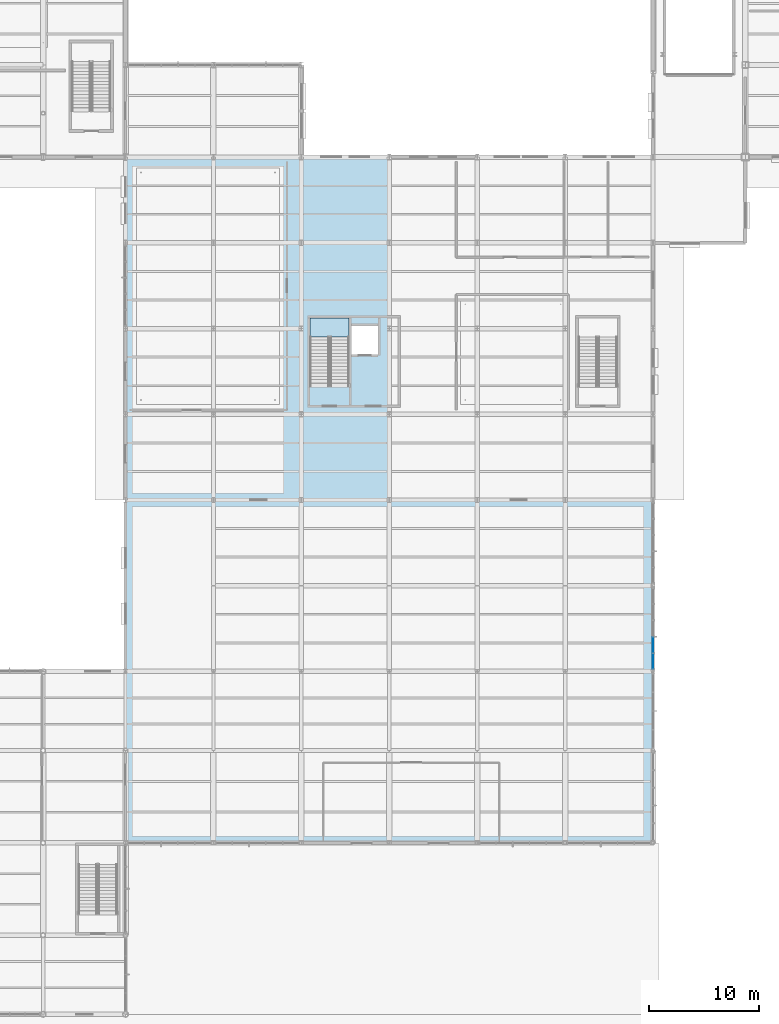
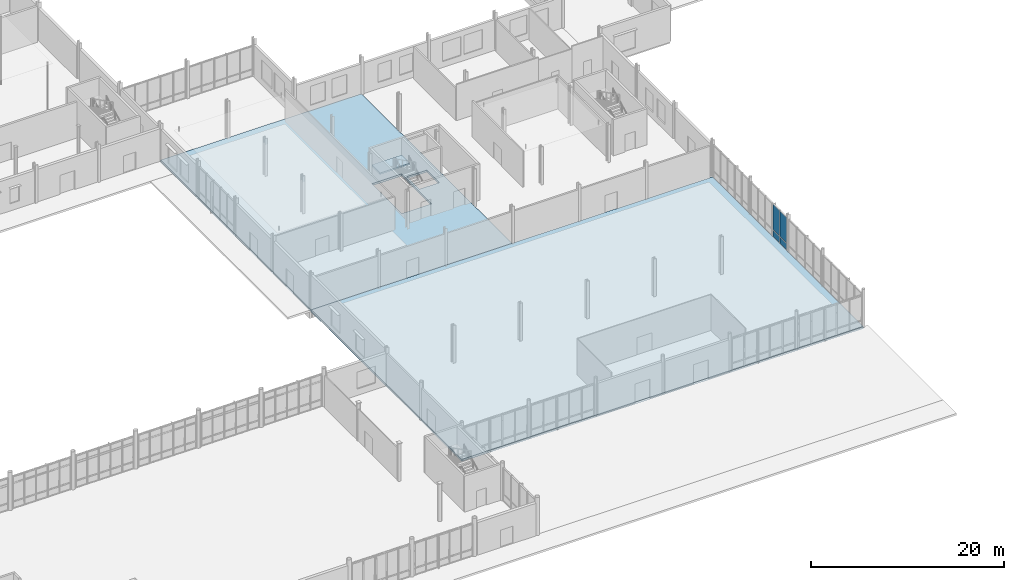
# One storey, part 43 of 82: 4 plates, 3 slabs, 2 elements without a shape of their own.
"""IFC4 building model written with IfcOpenShell, lengths in metres."""

from ifc_helpers import new_model, si_unit, direction, frame, origin, origin_2d, place, context, subcontext, project, spatial, polyline, rectangle, outline, extrude, material, layer, layer_set, type_object, element, aggregate, save


model = new_model("IFC4")

# Units and contexts
model_context = context("Model", 3, precision=1e-05, world=origin(), true_north=direction((0.0, 1.0)))
body_context = subcontext(model_context, "Body", "Model", "MODEL_VIEW")
ifc_project = project(units=[si_unit("LENGTHUNIT", "METRE"), si_unit("AREAUNIT", "SQUARE_METRE"), si_unit("VOLUMEUNIT", "CUBIC_METRE"), si_unit("PLANEANGLEUNIT", "RADIAN"), si_unit("MASSUNIT", "GRAM", prefix="KILO")], contexts=[model_context])

# Site, building, storey
site_placement = place(None, origin())
site = spatial("IfcSite", under=ifc_project, at=site_placement, CompositionType="ELEMENT")
building_placement = place(site_placement, origin())
building = spatial("IfcBuilding", under=site, at=building_placement, Name="Yukiwa Park Conservatory and Herbarium", CompositionType="ELEMENT")
storey_placement = place(building_placement, origin())
storey = spatial("IfcBuildingStorey", under=building, at=storey_placement, Name="L00", CompositionType="ELEMENT", Elevation=0.0)

# Curtain wall, plates
ifc_material_1 = material(Name="Triple Low-E Insulated Glass", Category="glass")
ifc_layer_1 = layer(ifc_material_1, 0.176025390625)
ifc_layer_set_1 = layer_set([ifc_layer_1], Name="Triple Low-E Insulated Glass")
curtain_wall_type = type_object("IfcCurtainWallType", Name="CW-CONCOURSE-1600", PredefinedType="NOTDEFINED", material=ifc_layer_set_1)
curtain_wall_placement = place(storey_placement, origin())
curtain_wall = element("IfcCurtainWall", 1, at=curtain_wall_placement, inside=storey, type_object=curtain_wall_type, Name="L00 unitised curtain wall CW-L00-013", PredefinedType="NOTDEFINED")
ifc_material_2 = material(Name="Triple Low-E Insulated Glass", Category="glass")
ifc_layer_2 = layer(ifc_material_2, 0.035888671875)
ifc_layer_set_2 = layer_set([ifc_layer_2], Name="Triple Low-E Insulated Glass")
plate_type_1 = type_object("IfcPlateType", Name="PL-CW-GLZ-36", PredefinedType="CURTAIN_PANEL", material=ifc_layer_set_2)
plate_1_placement = place(storey_placement, frame((108.0, 32.11962890625, 0.93994140625), z_axis=(0.0, 0.0, 1.0), x_axis=(0.0, 1.0, 0.0)))
plate_1 = element("IfcPlate", 2, at=plate_1_placement, type_object=plate_type_1, Name="CW-L00-013 vision panel 1.2", PredefinedType="CURTAIN_PANEL", context=body_context, shape_type="SweptSolid", body=[
    extrude(rectangle(XDim=1.409423828125, YDim=0.035888671875, at=origin_2d()), origin(), (0.0, 0.0, 1.0), 3.199951171875),
])
plate_2_placement = place(storey_placement, frame((108.0, 33.609130859375, 0.93994140625), z_axis=(0.0, 0.0, 1.0), x_axis=(0.0, 1.0, 0.0)))
plate_2 = element("IfcPlate", 3, at=plate_2_placement, type_object=plate_type_1, Name="CW-L00-013 vision panel 2.2", PredefinedType="CURTAIN_PANEL", context=body_context, shape_type="SweptSolid", body=[
    extrude(rectangle(XDim=1.409423828125, YDim=0.035888671875, at=origin_2d()), origin(), (0.0, 0.0, 1.0), 3.199951171875),
])
ifc_material_3 = material(Name="Anodised Aluminium", Category="aluminium")
ifc_layer_3 = layer(ifc_material_3, 0.044921875)
ifc_layer_set_3 = layer_set([ifc_layer_3], Name="Anodised Aluminium")
plate_type_2 = type_object("IfcPlateType", Name="PL-CW-SPN-45", PredefinedType="CURTAIN_PANEL", material=ifc_layer_set_3)
plate_3_placement = place(storey_placement, frame((108.0, 32.11962890625, 0.080078125), z_axis=(0.0, 0.0, 1.0), x_axis=(0.0, 1.0, 0.0)))
plate_3 = element("IfcPlate", 4, at=plate_3_placement, type_object=plate_type_2, Name="CW-L00-013 spandrel panel 1.1", PredefinedType="CURTAIN_PANEL", context=body_context, shape_type="SweptSolid", body=[
    extrude(rectangle(XDim=1.409423828125, YDim=0.044921875, at=origin_2d()), origin(), (0.0, 0.0, 1.0), 0.780029296875),
])
plate_4_placement = place(storey_placement, frame((108.0, 33.609130859375, 0.080078125), z_axis=(0.0, 0.0, 1.0), x_axis=(0.0, 1.0, 0.0)))
plate_4 = element("IfcPlate", 5, at=plate_4_placement, type_object=plate_type_2, Name="CW-L00-013 spandrel panel 2.1", PredefinedType="CURTAIN_PANEL", context=body_context, shape_type="SweptSolid", body=[
    extrude(rectangle(XDim=1.409423828125, YDim=0.044921875, at=origin_2d()), origin(), (0.0, 0.0, 1.0), 0.780029296875),
])
aggregate(curtain_wall, [plate_3, plate_1, plate_4, plate_2])

# Slabs
ifc_material_4 = material(Name="Concrete C40", Category="concrete")
ifc_layer_4 = layer(ifc_material_4, 0.260009765625)
ifc_layer_set_4 = layer_set([ifc_layer_4], Name="Concrete C40")
slab_type_1 = type_object("IfcSlabType", Name="SL-FLR-260", PredefinedType="FLOOR", material=ifc_layer_set_4)
slab_1_placement = place(storey_placement, frame((0.0, 0.0, -0.260009765625)))
element("IfcSlab", 6, at=slab_1_placement, inside=storey, type_object=slab_type_1, Name="L00 composite structural floor slab V2", PredefinedType="FLOOR", context=body_context, shape_type="SweptSolid", body=[
    extrude(outline(polyline([(60.0, 15.60009765625), (60.0, 46.800048828125), (108.0, 46.800048828125), (108.0, 15.60009765625), (60.0, 15.60009765625)])), origin(), (0.0, 0.0, 1.0), 0.260009765625),
])
slab_2_placement = place(storey_placement, frame((0.0, 0.0, -0.260009765625)))
element("IfcSlab", 7, at=slab_2_placement, inside=storey, type_object=slab_type_1, Name="L00 composite structural floor slab V3W", PredefinedType="FLOOR", context=body_context, shape_type="SweptSolid", body=[
    extrude(outline(polyline([(60.0, 46.800048828125), (60.0, 78.0), (84.0, 78.0), (84.0, 46.800048828125), (60.0, 46.800048828125)]), holes=[polyline([(80.35009765625, 63.35009765625), (76.800048828125, 63.35009765625), (76.800048828125, 57.14990234375), (80.35009765625, 57.14990234375), (80.35009765625, 63.35009765625)]), polyline([(82.969970703125, 62.64990234375), (80.570068359375, 62.64990234375), (80.570068359375, 60.050048828125), (82.969970703125, 60.050048828125), (82.969970703125, 62.64990234375)])]), origin(), (0.0, 0.0, 1.0), 0.260009765625),
])

# Stair, slab
ifc_material_5 = material(Name="Concrete C40", Category="concrete")
stair_type = type_object("IfcStairType", Name="ST-DOGLEG-ST-V1", PredefinedType="HALF_TURN_STAIR", material=ifc_material_5)
stair_placement = place(storey_placement, origin())
stair = element("IfcStair", 8, at=stair_placement, inside=storey, type_object=stair_type, Name="L00 Visitor Core Exit Stair ST-V1", PredefinedType="HALF_TURN_STAIR")
ifc_material_6 = material(Name="Concrete C40", Category="concrete")
ifc_layer_5 = layer(ifc_material_6, 0.199951171875)
ifc_layer_set_5 = layer_set([ifc_layer_5], Name="Concrete C40")
slab_type_2 = type_object("IfcSlabType", Name="SL-LANDING-220", PredefinedType="LANDING", material=ifc_layer_set_5)
slab_3_placement = place(storey_placement, frame((0.0, 0.0, 2.199951171875)))
slab_3 = element("IfcSlab", 9, at=slab_3_placement, type_object=slab_type_2, Name="ST-V1 landing 1", PredefinedType="LANDING", context=body_context, shape_type="SweptSolid", body=[
    extrude(outline(polyline([(80.35009765625, 61.64990234375), (80.35009765625, 63.35009765625), (76.800048828125, 63.35009765625), (76.800048828125, 61.64990234375), (80.35009765625, 61.64990234375)])), origin(), (0.0, 0.0, 1.0), 0.199951171875),
])
aggregate(stair, [slab_3])

save(model, "model.ifc")
